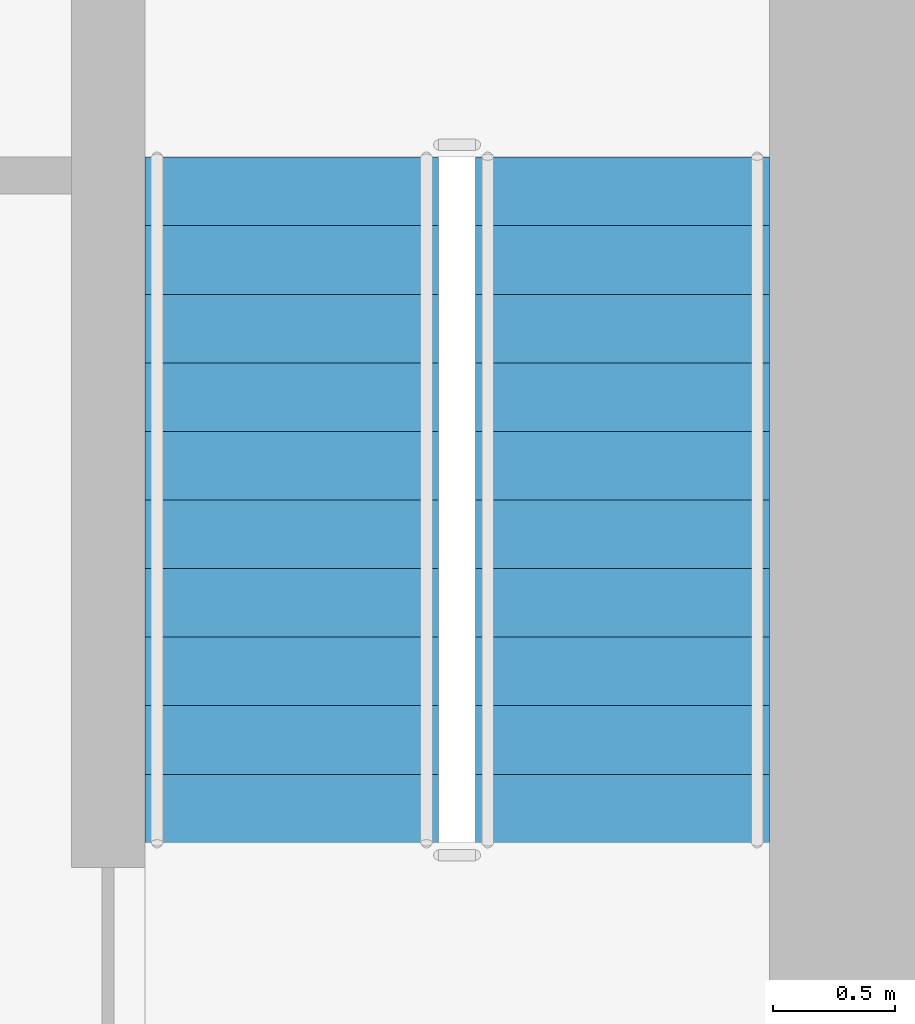
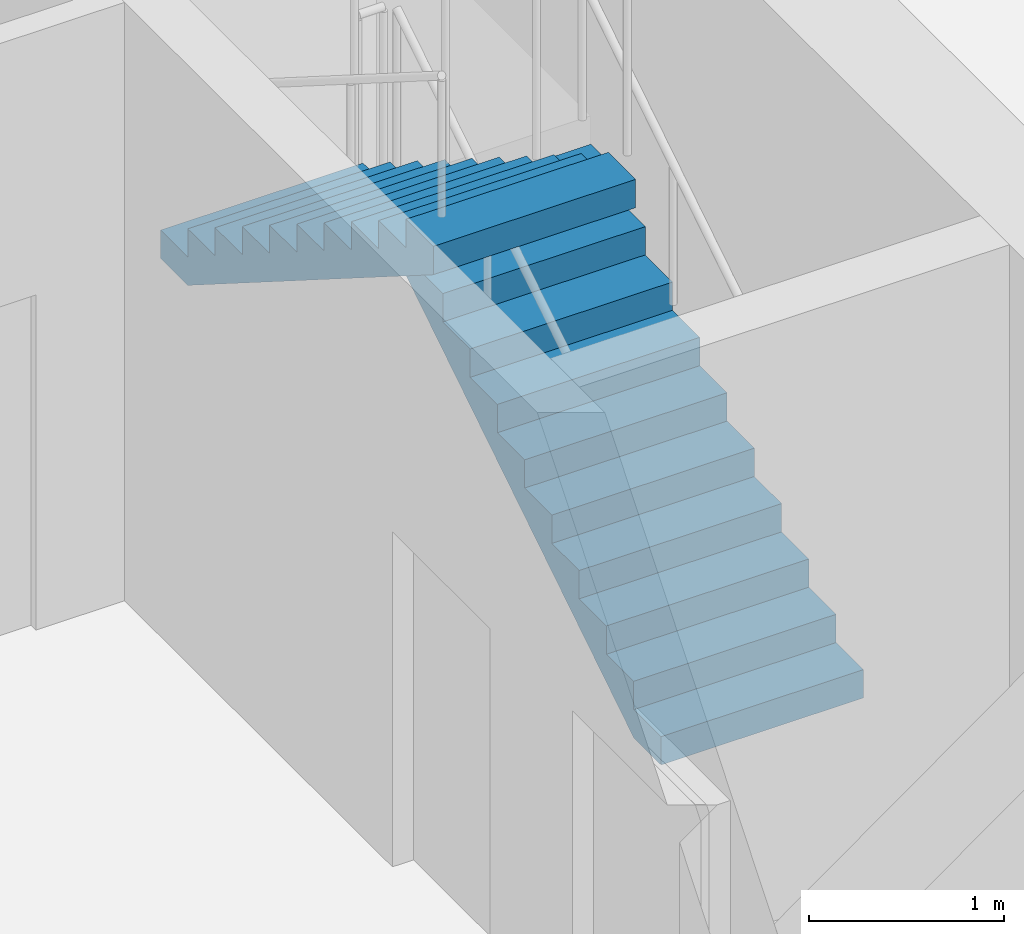
# One storey, part 6 of 7: 2 stair flights, 1 element without a shape of its own.
"""IFC4 building model written with IfcOpenShell, lengths in metres."""

from ifc_helpers import new_model, si_unit, direction, frame, origin, place, context, subcontext, project, spatial, polyline, outline, extrude, material, type_object, element, aggregate, save


model = new_model("IFC4")

# Units and contexts
model_context = context("Model", 3, precision=1e-05, world=origin(), true_north=direction((0.0, 1.0)))
body_context = subcontext(model_context, "Body", "Model", "MODEL_VIEW")
ifc_project = project(units=[si_unit("LENGTHUNIT", "METRE"), si_unit("AREAUNIT", "SQUARE_METRE"), si_unit("VOLUMEUNIT", "CUBIC_METRE"), si_unit("PLANEANGLEUNIT", "RADIAN"), si_unit("MASSUNIT", "GRAM", prefix="KILO")], contexts=[model_context])

# Site, building, storey
site_placement = place(None, origin())
site = spatial("IfcSite", under=ifc_project, at=site_placement, CompositionType="ELEMENT")
building_placement = place(site_placement, origin())
building = spatial("IfcBuilding", under=site, at=building_placement, Name="Aloe Facet Convention Tower", CompositionType="ELEMENT")
storey_placement = place(building_placement, frame((0.0, 0.0, 163.699951171875)))
storey = spatial("IfcBuildingStorey", under=building, at=storey_placement, Name="L41", CompositionType="ELEMENT", Elevation=163.699951171875)

# Stair, stair flights
ifc_material_1 = material(Name="Concrete C50/60", Category="concrete")
stair_type = type_object("IfcStairType", Name="CR-ST-22R", PredefinedType="HALF_TURN_STAIR", material=ifc_material_1)
stair_placement = place(storey_placement, origin())
stair = element("IfcStair", 1, at=stair_placement, inside=storey, type_object=stair_type, Name="L41 Protected exit stair ST2", PredefinedType="HALF_TURN_STAIR")
ifc_material_2 = material(Name="Concrete C50/60", Category="concrete")
stair_flight_type = type_object("IfcStairFlightType", Name="CR-SFL-22R", PredefinedType="STRAIGHT", material=ifc_material_2)
stair_flight_1_placement = place(storey_placement, frame((89.800048828125, 128.949951171875, 0.0), z_axis=(0.0, 0.0, 1.0), x_axis=(0.0, 1.0, 0.0)))
stair_flight_1 = element("IfcStairFlight", 2, at=stair_flight_1_placement, type_object=stair_flight_type, Name="ST2 flight 1", NumberOfRisers=11, NumberOfTreads=10, PredefinedType="STRAIGHT", RiserHeight=0.177272727, TreadLength=0.28, context=body_context, shape_type="SweptSolid", body=[
    extrude(outline(polyline([(0.0, 0.0), (0.0, 0.17724609375), (0.280029296875, 0.17724609375), (0.280029296875, 0.3544921875), (0.56005859375, 0.3544921875), (0.56005859375, 0.53173828125), (0.840087890625, 0.53173828125), (0.840087890625, 0.708984375), (1.1201171875, 0.708984375), (1.1201171875, 0.886474609375), (1.39990234375, 0.886474609375), (1.39990234375, 1.063720703125), (1.679931640625, 1.063720703125), (1.679931640625, 1.240966796875), (1.9599609375, 1.240966796875), (1.9599609375, 1.418212890625), (2.239990234375, 1.418212890625), (2.239990234375, 1.595458984375), (2.52001953125, 1.595458984375), (2.52001953125, 1.772705078125), (2.800048828125, 1.772705078125), (2.800048828125, 1.949951171875), (2.800048828125, 1.59521484375), (0.2802734375, 0.0), (0.0, 0.0)])), frame((0.0, 0.60009765625, 0.0), z_axis=(0.0, -1.0, 0.0), x_axis=(1.0, 0.0, 0.0)), (0.0, 0.0, 1.0), 1.199951171875),
])
stair_flight_2_placement = place(storey_placement, frame((88.449951171875, 131.75, 1.949951171875), z_axis=(0.0, 0.0, 1.0), x_axis=(0.0, -1.0, 0.0)))
stair_flight_2 = element("IfcStairFlight", 3, at=stair_flight_2_placement, type_object=stair_flight_type, Name="ST2 flight 2", NumberOfRisers=11, NumberOfTreads=10, PredefinedType="STRAIGHT", RiserHeight=0.177272727, TreadLength=0.28, context=body_context, shape_type="SweptSolid", body=[
    extrude(outline(polyline([(0.0, 0.0), (0.0, 0.17724609375), (0.280029296875, 0.17724609375), (0.280029296875, 0.3544921875), (0.56005859375, 0.3544921875), (0.56005859375, 0.53173828125), (0.840087890625, 0.53173828125), (0.840087890625, 0.708984375), (1.1201171875, 0.708984375), (1.1201171875, 0.886474609375), (1.39990234375, 0.886474609375), (1.39990234375, 1.063720703125), (1.679931640625, 1.063720703125), (1.679931640625, 1.240966796875), (1.9599609375, 1.240966796875), (1.9599609375, 1.418212890625), (2.239990234375, 1.418212890625), (2.239990234375, 1.595458984375), (2.52001953125, 1.595458984375), (2.52001953125, 1.772705078125), (2.800048828125, 1.772705078125), (2.800048828125, 1.949951171875), (2.800048828125, 1.59521484375), (0.2802734375, 0.0), (0.0, 0.0)])), frame((0.0, 0.60009765625, 0.0), z_axis=(0.0, -1.0, 0.0), x_axis=(1.0, 0.0, 0.0)), (0.0, 0.0, 1.0), 1.199951171875),
])
aggregate(stair, [stair_flight_1, stair_flight_2])

save(model, "model.ifc")
